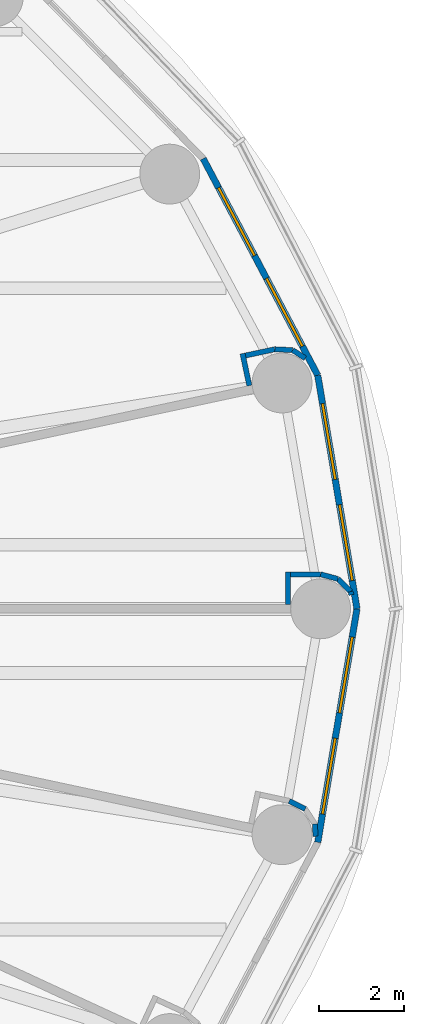
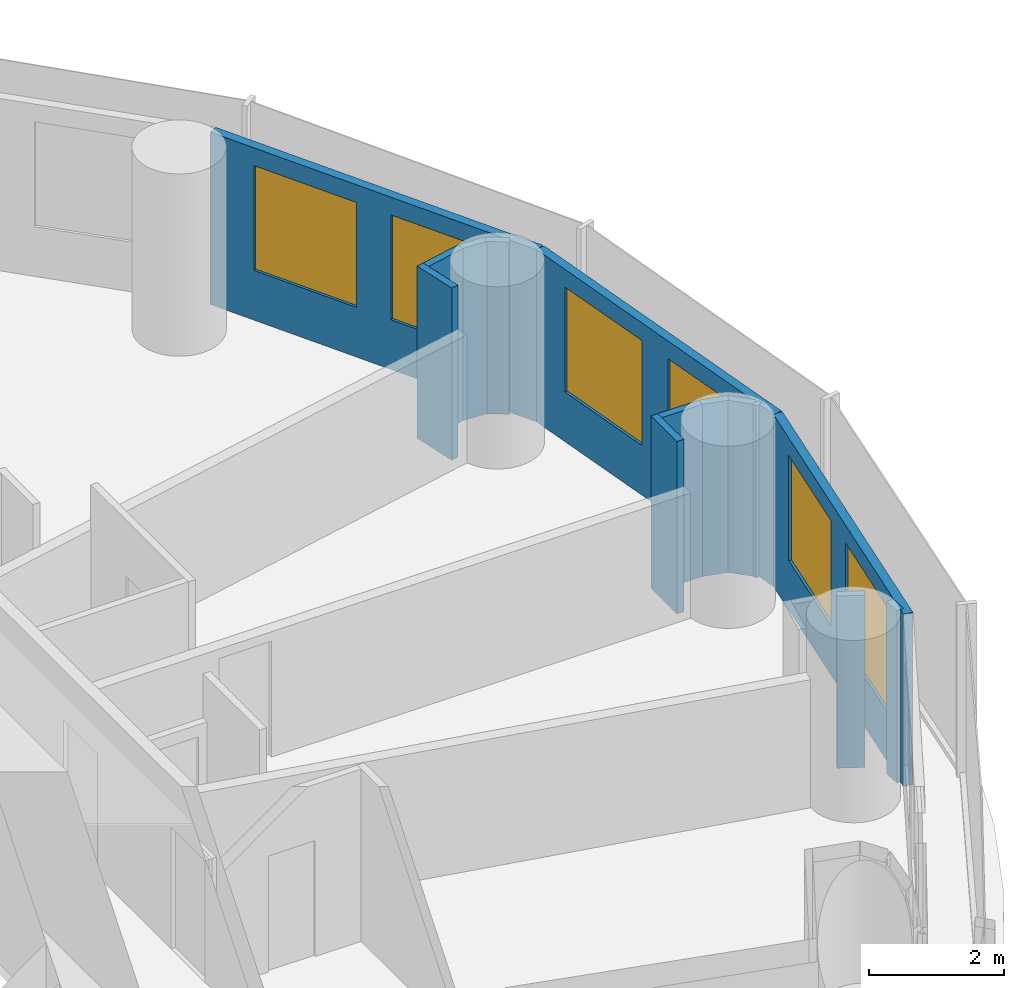
# One storey, part 11 of 14: 14 walls, 6 windows, 6 openings.
"""IFC4 building model written with IfcOpenShell, lengths in metres."""

from ifc_helpers import new_model, si_unit, direction, frame, frame_2d, origin, place, context, subcontext, project, spatial, rectangle, extrude, material, layer, layer_set, type_object, element, fill, save


model = new_model("IFC4")

# Units and contexts
model_context = context("Model", 3, precision=1e-05, world=origin(), true_north=direction((0.0, 1.0)))
body_context = subcontext(model_context, "Body", "Model", "MODEL_VIEW")
ifc_project = project(units=[si_unit("LENGTHUNIT", "METRE"), si_unit("AREAUNIT", "SQUARE_METRE"), si_unit("VOLUMEUNIT", "CUBIC_METRE"), si_unit("PLANEANGLEUNIT", "RADIAN"), si_unit("MASSUNIT", "GRAM", prefix="KILO")], contexts=[model_context])

# Site, building, storey
site_placement = place(None, origin())
site = spatial("IfcSite", under=ifc_project, at=site_placement, CompositionType="ELEMENT")
building_placement = place(site_placement, origin())
building = spatial("IfcBuilding", under=site, at=building_placement, Name="Hankou Lantern Tower", CompositionType="ELEMENT")
storey_placement = place(building_placement, frame((0.0, 0.0, 67.199951171875)))
storey = spatial("IfcBuildingStorey", under=building, at=storey_placement, Name="L16", CompositionType="ELEMENT", Elevation=67.199951171875)

# Wall, openings, windows
ifc_material_1 = material(Name="Aluminium spandrel panel on steel studs", Category="steel")
ifc_layer_1 = layer(ifc_material_1, 0.14990234375)
ifc_layer_set_1 = layer_set([ifc_layer_1], Name="Aluminium spandrel panel on steel studs")
wall_type_1 = type_object("IfcWallType", Name="EW1 INNER SKIN WALL 150", PredefinedType="ELEMENTEDWALL", material=ifc_layer_set_1)
wall_1_placement = place(storey_placement, frame((26.39990234375, 0.0, 0.0), z_axis=(0.0, 0.0, 1.0), x_axis=(-0.165642551694, 0.986185857264, 0.0)))
wall_1 = element("IfcWall", 1, at=wall_1_placement, inside=storey, type_object=wall_type_1, Name="Inner skin R01-R02 L16", PredefinedType="ELEMENTEDWALL", context=body_context, shape_type="SweptSolid", body=[
    extrude(rectangle(XDim=5.538818359375, YDim=0.14990234375, at=frame_2d((2.76953125, 0.0))), origin(), (0.0, 0.0, 1.0), 3.1201171875),
])
opening_1_placement = place(wall_1_placement, frame((0.66943359375, 0.0, 0.89990234375)))
opening_1 = element("IfcOpeningElement", 2, at=opening_1_placement, cuts=wall_1, Name="Opening W1", PredefinedType="OPENING", context=body_context, shape_type="SweptSolid", body=[
    extrude(rectangle(XDim=1.800048828125, YDim=1.89990234375, at=frame_2d((0.89990234375, 0.949951171875))), frame((0.0, 0.0849609375, 0.0), z_axis=(0.0, -1.0, 0.0), x_axis=(1.0, 0.0, 0.0)), (0.0, 0.0, 1.0), 0.169921875),
])
opening_2_placement = place(wall_1_placement, frame((3.069580078125, 0.0, 0.89990234375)))
opening_2 = element("IfcOpeningElement", 3, at=opening_2_placement, cuts=wall_1, Name="Opening W1", PredefinedType="OPENING", context=body_context, shape_type="SweptSolid", body=[
    extrude(rectangle(XDim=1.800048828125, YDim=1.89990234375, at=frame_2d((0.89990234375, 0.949951171875))), frame((0.0, 0.0849609375, 0.0), z_axis=(0.0, -1.0, 0.0), x_axis=(1.0, 0.0, 0.0)), (0.0, 0.0, 1.0), 0.169921875),
])
ifc_material_2 = material(Name="Aluminium framed double glazed window", Category="aluminium")
window_type = type_object("IfcWindowType", Name="W1 GUEST ROOM WINDOW 1800X1900", PartitioningType="DOUBLE_PANEL_VERTICAL", PredefinedType="WINDOW", material=ifc_material_2)
window_1_placement = place(opening_1_placement, origin())
window_1 = element("IfcWindow", 4, at=window_1_placement, inside=storey, type_object=window_type, Name="Window R01.1 L16", OverallHeight=1.89990234375, OverallWidth=1.800048828125, PartitioningType="SINGLE_PANEL", PredefinedType="WINDOW", context=body_context, shape_type="SweptSolid", body=[
    extrude(rectangle(XDim=1.800048828125, YDim=1.89990234375, at=frame_2d((0.89990234375, 0.949951171875))), frame((0.0, 0.030029296875, 0.0), z_axis=(0.0, -1.0, 0.0), x_axis=(1.0, 0.0, 0.0)), (0.0, 0.0, 1.0), 0.06005859375),
])
fill(opening_1, window_1)
window_2_placement = place(opening_2_placement, origin())
window_2 = element("IfcWindow", 5, at=window_2_placement, inside=storey, type_object=window_type, Name="Window R01.2 L16", OverallHeight=1.89990234375, OverallWidth=1.800048828125, PartitioningType="SINGLE_PANEL", PredefinedType="WINDOW", context=body_context, shape_type="SweptSolid", body=[
    extrude(rectangle(XDim=1.800048828125, YDim=1.89990234375, at=frame_2d((0.89990234375, 0.949951171875))), frame((0.0, 0.030029296875, 0.0), z_axis=(0.0, -1.0, 0.0), x_axis=(1.0, 0.0, 0.0)), (0.0, 0.0, 1.0), 0.06005859375),
])
fill(opening_2, window_2)

wall_2_placement = place(storey_placement, frame((25.482421875, 5.46240234375, 0.0), z_axis=(0.0, 0.0, 1.0), x_axis=(-0.467296867008, 0.884100468321, 0.0)))
wall_2 = element("IfcWall", 6, at=wall_2_placement, inside=storey, type_object=wall_type_1, Name="Inner skin R02-R03 L16", PredefinedType="ELEMENTEDWALL", context=body_context, shape_type="SweptSolid", body=[
    extrude(rectangle(XDim=5.734375, YDim=0.14990234375, at=frame_2d((2.8671875, 0.0))), origin(), (0.0, 0.0, 1.0), 3.1201171875),
])
opening_3_placement = place(wall_2_placement, frame((0.76708984375, 0.0, 0.89990234375)))
opening_3 = element("IfcOpeningElement", 7, at=opening_3_placement, cuts=wall_2, Name="Opening W1", PredefinedType="OPENING", context=body_context, shape_type="SweptSolid", body=[
    extrude(rectangle(XDim=1.800048828125, YDim=1.89990234375, at=frame_2d((0.89990234375, 0.949951171875))), frame((0.0, 0.0849609375, 0.0), z_axis=(0.0, -1.0, 0.0), x_axis=(1.0, 0.0, 0.0)), (0.0, 0.0, 1.0), 0.169921875),
])
opening_4_placement = place(wall_2_placement, frame((3.167236328125, 0.0, 0.89990234375)))
opening_4 = element("IfcOpeningElement", 8, at=opening_4_placement, cuts=wall_2, Name="Opening W1", PredefinedType="OPENING", context=body_context, shape_type="SweptSolid", body=[
    extrude(rectangle(XDim=1.800048828125, YDim=1.89990234375, at=frame_2d((0.89990234375, 0.949951171875))), frame((0.0, 0.0849609375, 0.0), z_axis=(0.0, -1.0, 0.0), x_axis=(1.0, 0.0, 0.0)), (0.0, 0.0, 1.0), 0.169921875),
])
window_3_placement = place(opening_3_placement, origin())
window_3 = element("IfcWindow", 9, at=window_3_placement, inside=storey, type_object=window_type, Name="Window R02.1 L16", OverallHeight=1.89990234375, OverallWidth=1.800048828125, PartitioningType="SINGLE_PANEL", PredefinedType="WINDOW", context=body_context, shape_type="SweptSolid", body=[
    extrude(rectangle(XDim=1.800048828125, YDim=1.89990234375, at=frame_2d((0.89990234375, 0.949951171875))), frame((0.0, 0.030029296875, 0.0), z_axis=(0.0, -1.0, 0.0), x_axis=(1.0, 0.0, 0.0)), (0.0, 0.0, 1.0), 0.06005859375),
])
fill(opening_3, window_3)
window_4_placement = place(opening_4_placement, origin())
window_4 = element("IfcWindow", 10, at=window_4_placement, inside=storey, type_object=window_type, Name="Window R02.2 L16", OverallHeight=1.89990234375, OverallWidth=1.800048828125, PartitioningType="SINGLE_PANEL", PredefinedType="WINDOW", context=body_context, shape_type="SweptSolid", body=[
    extrude(rectangle(XDim=1.800048828125, YDim=1.89990234375, at=frame_2d((0.89990234375, 0.949951171875))), frame((0.0, 0.030029296875, 0.0), z_axis=(0.0, -1.0, 0.0), x_axis=(1.0, 0.0, 0.0)), (0.0, 0.0, 1.0), 0.06005859375),
])
fill(opening_4, window_4)

wall_3_placement = place(storey_placement, frame((25.482421875, -5.46240234375, 0.0), z_axis=(0.0, 0.0, 1.0), x_axis=(0.165642551694, 0.986185857264, 0.0)))
wall_3 = element("IfcWall", 11, at=wall_3_placement, inside=storey, type_object=wall_type_1, Name="Inner skin R24-R01 L16", PredefinedType="ELEMENTEDWALL", context=body_context, shape_type="SweptSolid", body=[
    extrude(rectangle(XDim=5.538818359375, YDim=0.14990234375, at=frame_2d((2.76953125, 0.0))), origin(), (0.0, 0.0, 1.0), 3.1201171875),
])
opening_5_placement = place(wall_3_placement, frame((0.66943359375, 0.0, 0.89990234375)))
opening_5 = element("IfcOpeningElement", 12, at=opening_5_placement, cuts=wall_3, Name="Opening W1", PredefinedType="OPENING", context=body_context, shape_type="SweptSolid", body=[
    extrude(rectangle(XDim=1.800048828125, YDim=1.89990234375, at=frame_2d((0.89990234375, 0.949951171875))), frame((0.0, 0.0849609375, 0.0), z_axis=(0.0, -1.0, 0.0), x_axis=(1.0, 0.0, 0.0)), (0.0, 0.0, 1.0), 0.169921875),
])
opening_6_placement = place(wall_3_placement, frame((3.069580078125, 0.0, 0.89990234375)))
opening_6 = element("IfcOpeningElement", 13, at=opening_6_placement, cuts=wall_3, Name="Opening W1", PredefinedType="OPENING", context=body_context, shape_type="SweptSolid", body=[
    extrude(rectangle(XDim=1.800048828125, YDim=1.89990234375, at=frame_2d((0.89990234375, 0.949951171875))), frame((0.0, 0.0849609375, 0.0), z_axis=(0.0, -1.0, 0.0), x_axis=(1.0, 0.0, 0.0)), (0.0, 0.0, 1.0), 0.169921875),
])
window_5_placement = place(opening_5_placement, origin())
window_5 = element("IfcWindow", 14, at=window_5_placement, inside=storey, type_object=window_type, Name="Window R24.1 L16", OverallHeight=1.89990234375, OverallWidth=1.800048828125, PartitioningType="SINGLE_PANEL", PredefinedType="WINDOW", context=body_context, shape_type="SweptSolid", body=[
    extrude(rectangle(XDim=1.800048828125, YDim=1.89990234375, at=frame_2d((0.89990234375, 0.949951171875))), frame((0.0, 0.030029296875, 0.0), z_axis=(0.0, -1.0, 0.0), x_axis=(1.0, 0.0, 0.0)), (0.0, 0.0, 1.0), 0.06005859375),
])
fill(opening_5, window_5)
window_6_placement = place(opening_6_placement, origin())
window_6 = element("IfcWindow", 15, at=window_6_placement, inside=storey, type_object=window_type, Name="Window R24.2 L16", OverallHeight=1.89990234375, OverallWidth=1.800048828125, PartitioningType="SINGLE_PANEL", PredefinedType="WINDOW", context=body_context, shape_type="SweptSolid", body=[
    extrude(rectangle(XDim=1.800048828125, YDim=1.89990234375, at=frame_2d((0.89990234375, 0.949951171875))), frame((0.0, 0.030029296875, 0.0), z_axis=(0.0, -1.0, 0.0), x_axis=(1.0, 0.0, 0.0)), (0.0, 0.0, 1.0), 0.06005859375),
])
fill(opening_6, window_6)

# Walls
ifc_material_3 = material(Name="Masonry lightweight concrete block", Category="masonry")
ifc_layer_2 = layer(ifc_material_3, 0.1201171875)
ifc_layer_set_2 = layer_set([ifc_layer_2], Name="Masonry lightweight concrete block")
wall_type_2 = type_object("IfcWallType", Name="IW4 PARTITION 120", PredefinedType="PARTITIONING", material=ifc_layer_set_2)
wall_4_placement = place(storey_placement, frame((24.7900390625, 0.10009765625, 0.0), z_axis=(0.0, 0.0, 1.0), x_axis=(0.0, 1.0, 0.0)))
element("IfcWall", 16, at=wall_4_placement, inside=storey, type_object=wall_type_2, Name="Column casing R01 return", PredefinedType="PARTITIONING", context=body_context, shape_type="SweptSolid", body=[
    extrude(rectangle(XDim=0.767333984375, YDim=0.1201171875, at=frame_2d((0.3837890625, 0.0))), origin(), (0.0, 0.0, 1.0), 3.1201171875),
])
wall_5_placement = place(storey_placement, frame((24.85009765625, 0.8076171875, 0.0), z_axis=(0.0, 0.0, 1.0), x_axis=(1.0, 0.0, 0.0)))
element("IfcWall", 17, at=wall_5_placement, inside=storey, type_object=wall_type_2, Name="Column casing R01", PredefinedType="PARTITIONING", context=body_context, shape_type="SweptSolid", body=[
    extrude(rectangle(XDim=0.699951171875, YDim=0.1201171875, at=frame_2d((0.35009765625, 0.0))), origin(), (0.0, 0.0, 1.0), 3.1201171875),
])
wall_6_placement = place(storey_placement, frame((25.550048828125, 0.8076171875, 0.0), z_axis=(0.0, 0.0, 1.0), x_axis=(0.965807183573, -0.2592614205, 0.0)))
element("IfcWall", 18, at=wall_6_placement, inside=storey, type_object=wall_type_2, Name="Column casing R01", PredefinedType="PARTITIONING", context=body_context, shape_type="SweptSolid", body=[
    extrude(rectangle(XDim=0.418212890625, YDim=0.1201171875, at=frame_2d((0.208984375, 0.0))), origin(), (0.0, 0.0, 1.0), 3.1201171875),
])
wall_7_placement = place(storey_placement, frame((25.953857421875, 0.69921875, 0.0), z_axis=(0.0, 0.0, 1.0), x_axis=(0.707106781187, -0.707106781187, 0.0)))
element("IfcWall", 19, at=wall_7_placement, inside=storey, type_object=wall_type_2, Name="Column casing R01", PredefinedType="PARTITIONING", context=body_context, shape_type="SweptSolid", body=[
    extrude(rectangle(XDim=0.417724609375, YDim=0.1201171875, at=frame_2d((0.208984375, 0.0))), origin(), (0.0, 0.0, 1.0), 3.1201171875),
])
wall_8_placement = place(storey_placement, frame((26.249267578125, 0.40380859375, 0.0), z_axis=(0.0, 0.0, 1.0), x_axis=(0.259754282609, -0.965674744759, 0.0)))
element("IfcWall", 20, at=wall_8_placement, inside=storey, type_object=wall_type_2, Name="Column casing R01", PredefinedType="PARTITIONING", context=body_context, shape_type="SweptSolid", body=[
    extrude(rectangle(XDim=0.079833984375, YDim=0.1201171875, at=frame_2d((0.0400390625, 0.0))), origin(), (0.0, 0.0, 1.0), 3.1201171875),
])
wall_9_placement = place(storey_placement, frame((23.8828125, 5.2216796875, 0.0), z_axis=(0.0, 0.0, 1.0), x_axis=(-0.209311842415, 0.977848941619, 0.0)))
element("IfcWall", 21, at=wall_9_placement, inside=storey, type_object=wall_type_2, Name="Column casing R02 return", PredefinedType="PARTITIONING", context=body_context, shape_type="SweptSolid", body=[
    extrude(rectangle(XDim=0.767578125, YDim=0.1201171875, at=frame_2d((0.3837890625, 0.0))), origin(), (0.0, 0.0, 1.0), 3.1201171875),
])
wall_10_placement = place(storey_placement, frame((23.793212890625, 5.92626953125, 0.0), z_axis=(0.0, 0.0, 1.0), x_axis=(0.977792206673, 0.209576717621, 0.0)))
element("IfcWall", 22, at=wall_10_placement, inside=storey, type_object=wall_type_2, Name="Column casing R02", PredefinedType="PARTITIONING", context=body_context, shape_type="SweptSolid", body=[
    extrude(rectangle(XDim=0.7001953125, YDim=0.1201171875, at=frame_2d((0.35009765625, 0.0))), origin(), (0.0, 0.0, 1.0), 3.1201171875),
])
wall_11_placement = place(storey_placement, frame((24.477783203125, 6.072998046875, 0.0), z_axis=(0.0, 0.0, 1.0), x_axis=(0.998708262812, -0.05081147302, 0.0)))
element("IfcWall", 23, at=wall_11_placement, inside=storey, type_object=wall_type_2, Name="Column casing R02", PredefinedType="PARTITIONING", context=body_context, shape_type="SweptSolid", body=[
    extrude(rectangle(XDim=0.41796875, YDim=0.1201171875, at=frame_2d((0.208984375, 0.0))), origin(), (0.0, 0.0, 1.0), 3.1201171875),
])
wall_12_placement = place(storey_placement, frame((24.895263671875, 6.0517578125, 0.0), z_axis=(0.0, 0.0, 1.0), x_axis=(0.839495197275, -0.54336710772, 0.0)))
element("IfcWall", 24, at=wall_12_placement, inside=storey, type_object=wall_type_2, Name="Column casing R02", PredefinedType="PARTITIONING", context=body_context, shape_type="SweptSolid", body=[
    extrude(rectangle(XDim=0.349609375, YDim=0.1201171875, at=frame_2d((0.1748046875, 0.0))), origin(), (0.0, 0.0, 1.0), 3.1201171875),
])
wall_13_placement = place(storey_placement, frame((24.816162109375, -4.49365234375, 0.0), z_axis=(0.0, 0.0, 1.0), x_axis=(0.890303208847, -0.455368198623, 0.0)))
element("IfcWall", 25, at=wall_13_placement, inside=storey, type_object=wall_type_2, Name="Column casing R24", PredefinedType="PARTITIONING", context=body_context, shape_type="SweptSolid", body=[
    extrude(rectangle(XDim=0.418212890625, YDim=0.1201171875, at=frame_2d((0.208984375, 0.0))), origin(), (0.0, 0.0, 1.0), 3.1201171875),
])
wall_14_placement = place(storey_placement, frame((25.41552734375, -5.03515625, 0.0), z_axis=(0.0, 0.0, 1.0), x_axis=(0.050406329159, -0.998728793007, 0.0)))
element("IfcWall", 26, at=wall_14_placement, inside=storey, type_object=wall_type_2, Name="Column casing R24", PredefinedType="PARTITIONING", context=body_context, shape_type="SweptSolid", body=[
    extrude(rectangle(XDim=0.28564453125, YDim=0.1201171875, at=frame_2d((0.142822265625, 0.0))), origin(), (0.0, 0.0, 1.0), 3.1201171875),
])

save(model, "model.ifc")
